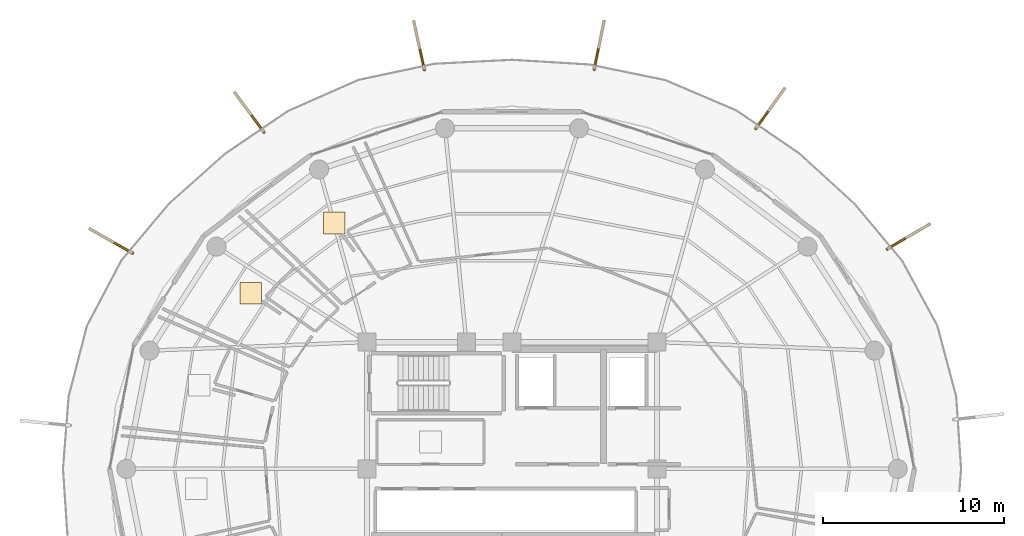
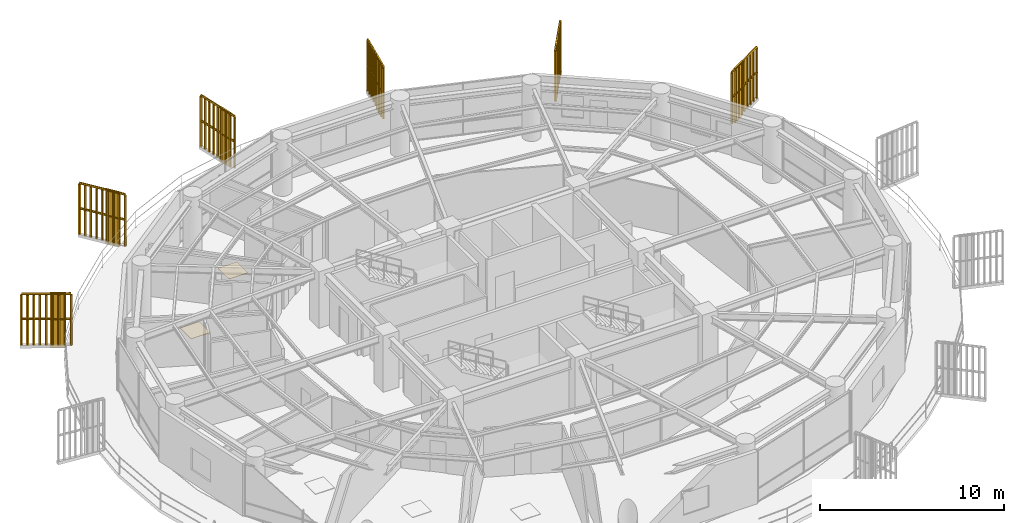
# One storey, part 31 of 31: 6 railings, 6 shading devices, 2 coverings.
"""IFC4 building model written with IfcOpenShell, lengths in metres."""

from ifc_helpers import new_model, si_unit, direction, frame, origin, origin_2d, place, context, subcontext, project, spatial, polyline, rectangle, outline, extrude, source, transform, mapped, material, layer, layer_set, type_object, element, save


model = new_model("IFC4")

# Units and contexts
model_context = context("Model", 3, precision=1e-05, world=origin(), true_north=direction((0.0, 1.0)))
body_context = subcontext(model_context, "Body", "Model", "MODEL_VIEW")
ifc_project = project(units=[si_unit("LENGTHUNIT", "METRE"), si_unit("AREAUNIT", "SQUARE_METRE"), si_unit("VOLUMEUNIT", "CUBIC_METRE"), si_unit("PLANEANGLEUNIT", "RADIAN"), si_unit("MASSUNIT", "GRAM", prefix="KILO")], contexts=[model_context])

# Site, building, storey
site_placement = place(None, origin())
site = spatial("IfcSite", under=ifc_project, at=site_placement, CompositionType="ELEMENT")
building_placement = place(site_placement, origin())
building = spatial("IfcBuilding", under=site, at=building_placement, Name="Kelanora Arch Commons", CompositionType="ELEMENT")
storey_placement = place(building_placement, frame((0.0, 0.0, 219.449951171875)))
storey = spatial("IfcBuildingStorey", under=building, at=storey_placement, Name="L56", CompositionType="ELEMENT", Elevation=219.449951171875)

# Railings
ifc_material_1 = material(Name="Anodised bronze vertical shading fin rib assembly")
railing_type = type_object("IfcRailingType", Name="RAIL-FIN-BRZ", PredefinedType="BALUSTRADE", material=ifc_material_1)
railing_1_placement = place(storey_placement, frame((94.694091796875, 70.131591796875, -0.02001953125)))
element("IfcRailing", 1, at=railing_1_placement, inside=storey, type_object=railing_type, Name="Sweeping Bronze Vertical Fin Blade L56-03", PredefinedType="BALUSTRADE", context=body_context, shape_type="SweptSolid", body=[
    extrude(outline(polyline([(0.06982421875, 0.0), (0.034912109375, 0.060546875), (-0.034912109375, 0.060546875), (-0.06982421875, 0.0), (-0.034912109375, -0.060546875), (0.034912109375, -0.060546875), (0.06982421875, 0.0)])), frame((0.0, 0.0, 3.419921875), z_axis=(0.862718299833, 0.505684817978, 0.0), x_axis=(-0.505684817978, 0.862718299833, 0.0)), (0.0, 0.0, 1.0), 2.7099609375),
    extrude(outline(polyline([(0.06982421875, 0.0), (0.034912109375, 0.060546875), (-0.034912109375, 0.060546875), (-0.06982421875, 0.0), (-0.034912109375, -0.060546875), (0.034912109375, -0.060546875), (0.06982421875, 0.0)])), frame((0.0, 0.0, 1.7451171875), z_axis=(0.862718299833, 0.505684817978, 0.0), x_axis=(-0.505684817978, 0.862718299833, 0.0)), (0.0, 0.0, 1.0), 2.7099609375),
    extrude(outline(polyline([(0.080078125, 0.0), (0.0400390625, 0.0693359375), (-0.0400390625, 0.0693359375), (-0.080078125, 0.0), (-0.0400390625, -0.0693359375), (0.0400390625, -0.0693359375), (0.080078125, 0.0)])), origin(), (0.0, 0.0, 1.0), 3.35009765625),
    extrude(outline(polyline([(0.080078125, 0.0), (0.0400390625, 0.0693359375), (-0.0400390625, 0.0693359375), (-0.080078125, 0.0), (-0.0400390625, -0.0693359375), (0.0400390625, -0.0693359375), (0.080078125, 0.0)])), frame((0.292236328125, 0.17138671875, 0.0)), (0.0, 0.0, 1.0), 3.35009765625),
    extrude(outline(polyline([(0.080078125, 0.0), (0.0400390625, 0.0693359375), (-0.0400390625, 0.0693359375), (-0.080078125, 0.0), (-0.0400390625, -0.0693359375), (0.0400390625, -0.0693359375), (0.080078125, 0.0)])), frame((0.58447265625, 0.342529296875, 0.0)), (0.0, 0.0, 1.0), 3.35009765625),
    extrude(outline(polyline([(0.080078125, 0.0), (0.0400390625, 0.0693359375), (-0.0400390625, 0.0693359375), (-0.080078125, 0.0), (-0.0400390625, -0.0693359375), (0.0400390625, -0.0693359375), (0.080078125, 0.0)])), frame((0.876708984375, 0.513916015625, 0.0)), (0.0, 0.0, 1.0), 3.35009765625),
    extrude(outline(polyline([(0.080078125, 0.0), (0.0400390625, 0.0693359375), (-0.0400390625, 0.0693359375), (-0.080078125, 0.0), (-0.0400390625, -0.0693359375), (0.0400390625, -0.0693359375), (0.080078125, 0.0)])), frame((1.1689453125, 0.68505859375, 0.0)), (0.0, 0.0, 1.0), 3.35009765625),
    extrude(outline(polyline([(0.080078125, 0.0), (0.0400390625, 0.0693359375), (-0.0400390625, 0.0693359375), (-0.080078125, 0.0), (-0.0400390625, -0.0693359375), (0.0400390625, -0.0693359375), (0.080078125, 0.0)])), frame((1.461181640625, 0.8564453125, 0.0)), (0.0, 0.0, 1.0), 3.35009765625),
    extrude(outline(polyline([(0.080078125, 0.0), (0.0400390625, 0.0693359375), (-0.0400390625, 0.0693359375), (-0.080078125, 0.0), (-0.0400390625, -0.0693359375), (0.0400390625, -0.0693359375), (0.080078125, 0.0)])), frame((1.75341796875, 1.02783203125, 0.0)), (0.0, 0.0, 1.0), 3.35009765625),
    extrude(outline(polyline([(0.080078125, 0.0), (0.0400390625, 0.0693359375), (-0.0400390625, 0.0693359375), (-0.080078125, 0.0), (-0.0400390625, -0.0693359375), (0.0400390625, -0.0693359375), (0.080078125, 0.0)])), frame((2.045654296875, 1.198974609375, 0.0)), (0.0, 0.0, 1.0), 3.35009765625),
    extrude(outline(polyline([(0.080078125, 0.0), (0.0400390625, 0.0693359375), (-0.0400390625, 0.0693359375), (-0.080078125, 0.0), (-0.0400390625, -0.0693359375), (0.0400390625, -0.0693359375), (0.080078125, 0.0)])), frame((2.337890625, 1.370361328125, 0.0)), (0.0, 0.0, 1.0), 3.35009765625),
])
railing_2_placement = place(storey_placement, frame((87.451416015625, 76.77490234375, -0.02001953125)))
element("IfcRailing", 2, at=railing_2_placement, inside=storey, type_object=railing_type, Name="Sweeping Bronze Vertical Fin Blade L56-04", PredefinedType="BALUSTRADE", context=body_context, shape_type="SweptSolid", body=[
    extrude(outline(polyline([(0.06982421875, 0.0), (0.034912109375, 0.060546875), (-0.034912109375, 0.060546875), (-0.06982421875, 0.0), (-0.034912109375, -0.060546875), (0.034912109375, -0.060546875), (0.06982421875, 0.0)])), frame((0.0, 0.0, 3.419921875), z_axis=(0.582430650304, 0.812880395622, 0.0), x_axis=(-0.812880395622, 0.582430650304, 0.0)), (0.0, 0.0, 1.0), 2.7099609375),
    extrude(outline(polyline([(0.06982421875, 0.0), (0.034912109375, 0.060546875), (-0.034912109375, 0.060546875), (-0.06982421875, 0.0), (-0.034912109375, -0.060546875), (0.034912109375, -0.060546875), (0.06982421875, 0.0)])), frame((0.0, 0.0, 1.7451171875), z_axis=(0.582430650304, 0.812880395622, 0.0), x_axis=(-0.812880395622, 0.582430650304, 0.0)), (0.0, 0.0, 1.0), 2.7099609375),
    extrude(outline(polyline([(0.080078125, 0.0), (0.0400390625, 0.0693359375), (-0.0400390625, 0.0693359375), (-0.080078125, 0.0), (-0.0400390625, -0.0693359375), (0.0400390625, -0.0693359375), (0.080078125, 0.0)])), origin(), (0.0, 0.0, 1.0), 3.35009765625),
    extrude(outline(polyline([(0.080078125, 0.0), (0.0400390625, 0.0693359375), (-0.0400390625, 0.0693359375), (-0.080078125, 0.0), (-0.0400390625, -0.0693359375), (0.0400390625, -0.0693359375), (0.080078125, 0.0)])), frame((0.197265625, 0.275390625, 0.0)), (0.0, 0.0, 1.0), 3.35009765625),
    extrude(outline(polyline([(0.080078125, 0.0), (0.0400390625, 0.0693359375), (-0.0400390625, 0.0693359375), (-0.080078125, 0.0), (-0.0400390625, -0.0693359375), (0.0400390625, -0.0693359375), (0.080078125, 0.0)])), frame((0.39453125, 0.55078125, 0.0)), (0.0, 0.0, 1.0), 3.35009765625),
    extrude(outline(polyline([(0.080078125, 0.0), (0.0400390625, 0.0693359375), (-0.0400390625, 0.0693359375), (-0.080078125, 0.0), (-0.0400390625, -0.0693359375), (0.0400390625, -0.0693359375), (0.080078125, 0.0)])), frame((0.591796875, 0.826171875, 0.0)), (0.0, 0.0, 1.0), 3.35009765625),
    extrude(outline(polyline([(0.080078125, 0.0), (0.0400390625, 0.0693359375), (-0.0400390625, 0.0693359375), (-0.080078125, 0.0), (-0.0400390625, -0.0693359375), (0.0400390625, -0.0693359375), (0.080078125, 0.0)])), frame((0.7890625, 1.1015625, 0.0)), (0.0, 0.0, 1.0), 3.35009765625),
    extrude(outline(polyline([(0.080078125, 0.0), (0.0400390625, 0.0693359375), (-0.0400390625, 0.0693359375), (-0.080078125, 0.0), (-0.0400390625, -0.0693359375), (0.0400390625, -0.0693359375), (0.080078125, 0.0)])), frame((0.986572265625, 1.376708984375, 0.0)), (0.0, 0.0, 1.0), 3.35009765625),
    extrude(outline(polyline([(0.080078125, 0.0), (0.0400390625, 0.0693359375), (-0.0400390625, 0.0693359375), (-0.080078125, 0.0), (-0.0400390625, -0.0693359375), (0.0400390625, -0.0693359375), (0.080078125, 0.0)])), frame((1.183837890625, 1.652099609375, 0.0)), (0.0, 0.0, 1.0), 3.35009765625),
    extrude(outline(polyline([(0.080078125, 0.0), (0.0400390625, 0.0693359375), (-0.0400390625, 0.0693359375), (-0.080078125, 0.0), (-0.0400390625, -0.0693359375), (0.0400390625, -0.0693359375), (0.080078125, 0.0)])), frame((1.381103515625, 1.927490234375, 0.0)), (0.0, 0.0, 1.0), 3.35009765625),
    extrude(outline(polyline([(0.080078125, 0.0), (0.0400390625, 0.0693359375), (-0.0400390625, 0.0693359375), (-0.080078125, 0.0), (-0.0400390625, -0.0693359375), (0.0400390625, -0.0693359375), (0.080078125, 0.0)])), frame((1.578369140625, 2.202880859375, 0.0)), (0.0, 0.0, 1.0), 3.35009765625),
])
railing_3_placement = place(storey_placement, frame((78.531005859375, 80.034423828125, -0.02001953125)))
element("IfcRailing", 3, at=railing_3_placement, inside=storey, type_object=railing_type, Name="Sweeping Bronze Vertical Fin Blade L56-05", PredefinedType="BALUSTRADE", context=body_context, shape_type="SweptSolid", body=[
    extrude(outline(polyline([(0.06982421875, 0.0), (0.034912109375, 0.060546875), (-0.034912109375, 0.060546875), (-0.06982421875, 0.0), (-0.034912109375, -0.060546875), (0.034912109375, -0.060546875), (0.06982421875, 0.0)])), frame((0.0, 0.0, 3.419921875), z_axis=(0.201449551253, 0.979498891424, 0.0), x_axis=(-0.979498891424, 0.201449551253, 0.0)), (0.0, 0.0, 1.0), 2.7099609375),
    extrude(outline(polyline([(0.06982421875, 0.0), (0.034912109375, 0.060546875), (-0.034912109375, 0.060546875), (-0.06982421875, 0.0), (-0.034912109375, -0.060546875), (0.034912109375, -0.060546875), (0.06982421875, 0.0)])), frame((0.0, 0.0, 1.7451171875), z_axis=(0.201449551253, 0.979498891424, 0.0), x_axis=(-0.979498891424, 0.201449551253, 0.0)), (0.0, 0.0, 1.0), 2.7099609375),
    extrude(outline(polyline([(0.080078125, 0.0), (0.0400390625, 0.0693359375), (-0.0400390625, 0.0693359375), (-0.080078125, 0.0), (-0.0400390625, -0.0693359375), (0.0400390625, -0.0693359375), (0.080078125, 0.0)])), origin(), (0.0, 0.0, 1.0), 3.35009765625),
    extrude(outline(polyline([(0.080078125, 0.0), (0.0400390625, 0.0693359375), (-0.0400390625, 0.0693359375), (-0.080078125, 0.0), (-0.0400390625, -0.0693359375), (0.0400390625, -0.0693359375), (0.080078125, 0.0)])), frame((0.068359375, 0.331787109375, 0.0)), (0.0, 0.0, 1.0), 3.35009765625),
    extrude(outline(polyline([(0.080078125, 0.0), (0.0400390625, 0.0693359375), (-0.0400390625, 0.0693359375), (-0.080078125, 0.0), (-0.0400390625, -0.0693359375), (0.0400390625, -0.0693359375), (0.080078125, 0.0)])), frame((0.136474609375, 0.66357421875, 0.0)), (0.0, 0.0, 1.0), 3.35009765625),
    extrude(outline(polyline([(0.080078125, 0.0), (0.0400390625, 0.0693359375), (-0.0400390625, 0.0693359375), (-0.080078125, 0.0), (-0.0400390625, -0.0693359375), (0.0400390625, -0.0693359375), (0.080078125, 0.0)])), frame((0.20458984375, 0.995361328125, 0.0)), (0.0, 0.0, 1.0), 3.35009765625),
    extrude(outline(polyline([(0.080078125, 0.0), (0.0400390625, 0.0693359375), (-0.0400390625, 0.0693359375), (-0.080078125, 0.0), (-0.0400390625, -0.0693359375), (0.0400390625, -0.0693359375), (0.080078125, 0.0)])), frame((0.27294921875, 1.3271484375, 0.0)), (0.0, 0.0, 1.0), 3.35009765625),
    extrude(outline(polyline([(0.080078125, 0.0), (0.0400390625, 0.0693359375), (-0.0400390625, 0.0693359375), (-0.080078125, 0.0), (-0.0400390625, -0.0693359375), (0.0400390625, -0.0693359375), (0.080078125, 0.0)])), frame((0.34130859375, 1.658935546875, 0.0)), (0.0, 0.0, 1.0), 3.35009765625),
    extrude(outline(polyline([(0.080078125, 0.0), (0.0400390625, 0.0693359375), (-0.0400390625, 0.0693359375), (-0.080078125, 0.0), (-0.0400390625, -0.0693359375), (0.0400390625, -0.0693359375), (0.080078125, 0.0)])), frame((0.409423828125, 1.99072265625, 0.0)), (0.0, 0.0, 1.0), 3.35009765625),
    extrude(outline(polyline([(0.080078125, 0.0), (0.0400390625, 0.0693359375), (-0.0400390625, 0.0693359375), (-0.080078125, 0.0), (-0.0400390625, -0.0693359375), (0.0400390625, -0.0693359375), (0.080078125, 0.0)])), frame((0.4775390625, 2.322509765625, 0.0)), (0.0, 0.0, 1.0), 3.35009765625),
    extrude(outline(polyline([(0.080078125, 0.0), (0.0400390625, 0.0693359375), (-0.0400390625, 0.0693359375), (-0.080078125, 0.0), (-0.0400390625, -0.0693359375), (0.0400390625, -0.0693359375), (0.080078125, 0.0)])), frame((0.5458984375, 2.654296875, 0.0)), (0.0, 0.0, 1.0), 3.35009765625),
])
railing_4_placement = place(storey_placement, frame((69.168701171875, 80.010498046875, -0.02001953125)))
element("IfcRailing", 4, at=railing_4_placement, inside=storey, type_object=railing_type, Name="Sweeping Bronze Vertical Fin Blade L56-06", PredefinedType="BALUSTRADE", context=body_context, shape_type="SweptSolid", body=[
    extrude(outline(polyline([(0.06982421875, 0.0), (0.034912109375, 0.060546875), (-0.034912109375, 0.060546875), (-0.06982421875, 0.0), (-0.034912109375, -0.060546875), (0.034912109375, -0.060546875), (0.06982421875, 0.0)])), frame((0.0, 0.0, 3.419921875), z_axis=(-0.214411487398, 0.976743422845, 0.0), x_axis=(-0.976743422845, -0.214411487398, 0.0)), (0.0, 0.0, 1.0), 2.7099609375),
    extrude(outline(polyline([(0.06982421875, 0.0), (0.034912109375, 0.060546875), (-0.034912109375, 0.060546875), (-0.06982421875, 0.0), (-0.034912109375, -0.060546875), (0.034912109375, -0.060546875), (0.06982421875, 0.0)])), frame((0.0, 0.0, 1.7451171875), z_axis=(-0.214411487398, 0.976743422845, 0.0), x_axis=(-0.976743422845, -0.214411487398, 0.0)), (0.0, 0.0, 1.0), 2.7099609375),
    extrude(outline(polyline([(0.080078125, 0.0), (0.0400390625, 0.0693359375), (-0.0400390625, 0.0693359375), (-0.080078125, 0.0), (-0.0400390625, -0.0693359375), (0.0400390625, -0.0693359375), (0.080078125, 0.0)])), origin(), (0.0, 0.0, 1.0), 3.35009765625),
    extrude(outline(polyline([(0.080078125, 0.0), (0.0400390625, 0.0693359375), (-0.0400390625, 0.0693359375), (-0.080078125, 0.0), (-0.0400390625, -0.0693359375), (0.0400390625, -0.0693359375), (0.080078125, 0.0)])), frame((-0.07275390625, 0.330810546875, 0.0)), (0.0, 0.0, 1.0), 3.35009765625),
    extrude(outline(polyline([(0.080078125, 0.0), (0.0400390625, 0.0693359375), (-0.0400390625, 0.0693359375), (-0.080078125, 0.0), (-0.0400390625, -0.0693359375), (0.0400390625, -0.0693359375), (0.080078125, 0.0)])), frame((-0.145263671875, 0.66162109375, 0.0)), (0.0, 0.0, 1.0), 3.35009765625),
    extrude(outline(polyline([(0.080078125, 0.0), (0.0400390625, 0.0693359375), (-0.0400390625, 0.0693359375), (-0.080078125, 0.0), (-0.0400390625, -0.0693359375), (0.0400390625, -0.0693359375), (0.080078125, 0.0)])), frame((-0.2177734375, 0.99267578125, 0.0)), (0.0, 0.0, 1.0), 3.35009765625),
    extrude(outline(polyline([(0.080078125, 0.0), (0.0400390625, 0.0693359375), (-0.0400390625, 0.0693359375), (-0.080078125, 0.0), (-0.0400390625, -0.0693359375), (0.0400390625, -0.0693359375), (0.080078125, 0.0)])), frame((-0.29052734375, 1.323486328125, 0.0)), (0.0, 0.0, 1.0), 3.35009765625),
    extrude(outline(polyline([(0.080078125, 0.0), (0.0400390625, 0.0693359375), (-0.0400390625, 0.0693359375), (-0.080078125, 0.0), (-0.0400390625, -0.0693359375), (0.0400390625, -0.0693359375), (0.080078125, 0.0)])), frame((-0.36328125, 1.654296875, 0.0)), (0.0, 0.0, 1.0), 3.35009765625),
    extrude(outline(polyline([(0.080078125, 0.0), (0.0400390625, 0.0693359375), (-0.0400390625, 0.0693359375), (-0.080078125, 0.0), (-0.0400390625, -0.0693359375), (0.0400390625, -0.0693359375), (0.080078125, 0.0)])), frame((-0.435791015625, 1.9853515625, 0.0)), (0.0, 0.0, 1.0), 3.35009765625),
    extrude(outline(polyline([(0.080078125, 0.0), (0.0400390625, 0.0693359375), (-0.0400390625, 0.0693359375), (-0.080078125, 0.0), (-0.0400390625, -0.0693359375), (0.0400390625, -0.0693359375), (0.080078125, 0.0)])), frame((-0.50830078125, 2.316162109375, 0.0)), (0.0, 0.0, 1.0), 3.35009765625),
    extrude(outline(polyline([(0.080078125, 0.0), (0.0400390625, 0.0693359375), (-0.0400390625, 0.0693359375), (-0.080078125, 0.0), (-0.0400390625, -0.0693359375), (0.0400390625, -0.0693359375), (0.080078125, 0.0)])), frame((-0.5810546875, 2.64697265625, 0.0)), (0.0, 0.0, 1.0), 3.35009765625),
])
railing_5_placement = place(storey_placement, frame((60.314453125, 76.576416015625, -0.02001953125)))
element("IfcRailing", 5, at=railing_5_placement, inside=storey, type_object=railing_type, Name="Sweeping Bronze Vertical Fin Blade L56-07", PredefinedType="BALUSTRADE", context=body_context, shape_type="SweptSolid", body=[
    extrude(outline(polyline([(0.06982421875, 0.0), (0.034912109375, 0.060546875), (-0.034912109375, 0.060546875), (-0.06982421875, 0.0), (-0.034912109375, -0.060546875), (0.034912109375, -0.060546875), (0.06982421875, 0.0)])), frame((0.0, 0.0, 3.419921875), z_axis=(-0.593174452162, 0.805073952691, 0.0), x_axis=(-0.805073952691, -0.593174452162, 0.0)), (0.0, 0.0, 1.0), 2.7099609375),
    extrude(outline(polyline([(0.06982421875, 0.0), (0.034912109375, 0.060546875), (-0.034912109375, 0.060546875), (-0.06982421875, 0.0), (-0.034912109375, -0.060546875), (0.034912109375, -0.060546875), (0.06982421875, 0.0)])), frame((0.0, 0.0, 1.7451171875), z_axis=(-0.593174452162, 0.805073952691, 0.0), x_axis=(-0.805073952691, -0.593174452162, 0.0)), (0.0, 0.0, 1.0), 2.7099609375),
    extrude(outline(polyline([(0.080078125, 0.0), (0.0400390625, 0.0693359375), (-0.0400390625, 0.0693359375), (-0.080078125, 0.0), (-0.0400390625, -0.0693359375), (0.0400390625, -0.0693359375), (0.080078125, 0.0)])), origin(), (0.0, 0.0, 1.0), 3.35009765625),
    extrude(outline(polyline([(0.080078125, 0.0), (0.0400390625, 0.0693359375), (-0.0400390625, 0.0693359375), (-0.080078125, 0.0), (-0.0400390625, -0.0693359375), (0.0400390625, -0.0693359375), (0.080078125, 0.0)])), frame((-0.200927734375, 0.272705078125, 0.0)), (0.0, 0.0, 1.0), 3.35009765625),
    extrude(outline(polyline([(0.080078125, 0.0), (0.0400390625, 0.0693359375), (-0.0400390625, 0.0693359375), (-0.080078125, 0.0), (-0.0400390625, -0.0693359375), (0.0400390625, -0.0693359375), (0.080078125, 0.0)])), frame((-0.40185546875, 0.54541015625, 0.0)), (0.0, 0.0, 1.0), 3.35009765625),
    extrude(outline(polyline([(0.080078125, 0.0), (0.0400390625, 0.0693359375), (-0.0400390625, 0.0693359375), (-0.080078125, 0.0), (-0.0400390625, -0.0693359375), (0.0400390625, -0.0693359375), (0.080078125, 0.0)])), frame((-0.602783203125, 0.818115234375, 0.0)), (0.0, 0.0, 1.0), 3.35009765625),
    extrude(outline(polyline([(0.080078125, 0.0), (0.0400390625, 0.0693359375), (-0.0400390625, 0.0693359375), (-0.080078125, 0.0), (-0.0400390625, -0.0693359375), (0.0400390625, -0.0693359375), (0.080078125, 0.0)])), frame((-0.8037109375, 1.0908203125, 0.0)), (0.0, 0.0, 1.0), 3.35009765625),
    extrude(outline(polyline([(0.080078125, 0.0), (0.0400390625, 0.0693359375), (-0.0400390625, 0.0693359375), (-0.080078125, 0.0), (-0.0400390625, -0.0693359375), (0.0400390625, -0.0693359375), (0.080078125, 0.0)])), frame((-1.004638671875, 1.363525390625, 0.0)), (0.0, 0.0, 1.0), 3.35009765625),
    extrude(outline(polyline([(0.080078125, 0.0), (0.0400390625, 0.0693359375), (-0.0400390625, 0.0693359375), (-0.080078125, 0.0), (-0.0400390625, -0.0693359375), (0.0400390625, -0.0693359375), (0.080078125, 0.0)])), frame((-1.20556640625, 1.63623046875, 0.0)), (0.0, 0.0, 1.0), 3.35009765625),
    extrude(outline(polyline([(0.080078125, 0.0), (0.0400390625, 0.0693359375), (-0.0400390625, 0.0693359375), (-0.080078125, 0.0), (-0.0400390625, -0.0693359375), (0.0400390625, -0.0693359375), (0.080078125, 0.0)])), frame((-1.406494140625, 1.908935546875, 0.0)), (0.0, 0.0, 1.0), 3.35009765625),
    extrude(outline(polyline([(0.080078125, 0.0), (0.0400390625, 0.0693359375), (-0.0400390625, 0.0693359375), (-0.080078125, 0.0), (-0.0400390625, -0.0693359375), (0.0400390625, -0.0693359375), (0.080078125, 0.0)])), frame((-1.607421875, 2.181640625, 0.0)), (0.0, 0.0, 1.0), 3.35009765625),
])
railing_6_placement = place(storey_placement, frame((53.06787109375, 69.90087890625, -0.02001953125)))
element("IfcRailing", 6, at=railing_6_placement, inside=storey, type_object=railing_type, Name="Sweeping Bronze Vertical Fin Blade L56-08", PredefinedType="BALUSTRADE", context=body_context, shape_type="SweptSolid", body=[
    extrude(outline(polyline([(0.06982421875, 0.0), (0.034912109375, 0.060546875), (-0.034912109375, 0.060546875), (-0.06982421875, 0.0), (-0.034912109375, -0.060546875), (0.034912109375, -0.060546875), (0.06982421875, 0.0)])), frame((0.0, 0.0, 3.419921875), z_axis=(-0.869338691519, 0.494216793956, 0.0), x_axis=(-0.494216793956, -0.869338691519, 0.0)), (0.0, 0.0, 1.0), 2.7099609375),
    extrude(outline(polyline([(0.06982421875, 0.0), (0.034912109375, 0.060546875), (-0.034912109375, 0.060546875), (-0.06982421875, 0.0), (-0.034912109375, -0.060546875), (0.034912109375, -0.060546875), (0.06982421875, 0.0)])), frame((0.0, 0.0, 1.7451171875), z_axis=(-0.869338691519, 0.494216793956, 0.0), x_axis=(-0.494216793956, -0.869338691519, 0.0)), (0.0, 0.0, 1.0), 2.7099609375),
    extrude(outline(polyline([(0.080078125, 0.0), (0.0400390625, 0.0693359375), (-0.0400390625, 0.0693359375), (-0.080078125, 0.0), (-0.0400390625, -0.0693359375), (0.0400390625, -0.0693359375), (0.080078125, 0.0)])), origin(), (0.0, 0.0, 1.0), 3.35009765625),
    extrude(outline(polyline([(0.080078125, 0.0), (0.0400390625, 0.0693359375), (-0.0400390625, 0.0693359375), (-0.080078125, 0.0), (-0.0400390625, -0.0693359375), (0.0400390625, -0.0693359375), (0.080078125, 0.0)])), frame((-0.29443359375, 0.16748046875, 0.0)), (0.0, 0.0, 1.0), 3.35009765625),
    extrude(outline(polyline([(0.080078125, 0.0), (0.0400390625, 0.0693359375), (-0.0400390625, 0.0693359375), (-0.080078125, 0.0), (-0.0400390625, -0.0693359375), (0.0400390625, -0.0693359375), (0.080078125, 0.0)])), frame((-0.5888671875, 0.3349609375, 0.0)), (0.0, 0.0, 1.0), 3.35009765625),
    extrude(outline(polyline([(0.080078125, 0.0), (0.0400390625, 0.0693359375), (-0.0400390625, 0.0693359375), (-0.080078125, 0.0), (-0.0400390625, -0.0693359375), (0.0400390625, -0.0693359375), (0.080078125, 0.0)])), frame((-0.883544921875, 0.502197265625, 0.0)), (0.0, 0.0, 1.0), 3.35009765625),
    extrude(outline(polyline([(0.080078125, 0.0), (0.0400390625, 0.0693359375), (-0.0400390625, 0.0693359375), (-0.080078125, 0.0), (-0.0400390625, -0.0693359375), (0.0400390625, -0.0693359375), (0.080078125, 0.0)])), frame((-1.177978515625, 0.669677734375, 0.0)), (0.0, 0.0, 1.0), 3.35009765625),
    extrude(outline(polyline([(0.080078125, 0.0), (0.0400390625, 0.0693359375), (-0.0400390625, 0.0693359375), (-0.080078125, 0.0), (-0.0400390625, -0.0693359375), (0.0400390625, -0.0693359375), (0.080078125, 0.0)])), frame((-1.472412109375, 0.837158203125, 0.0)), (0.0, 0.0, 1.0), 3.35009765625),
    extrude(outline(polyline([(0.080078125, 0.0), (0.0400390625, 0.0693359375), (-0.0400390625, 0.0693359375), (-0.080078125, 0.0), (-0.0400390625, -0.0693359375), (0.0400390625, -0.0693359375), (0.080078125, 0.0)])), frame((-1.76708984375, 1.00439453125, 0.0)), (0.0, 0.0, 1.0), 3.35009765625),
    extrude(outline(polyline([(0.080078125, 0.0), (0.0400390625, 0.0693359375), (-0.0400390625, 0.0693359375), (-0.080078125, 0.0), (-0.0400390625, -0.0693359375), (0.0400390625, -0.0693359375), (0.080078125, 0.0)])), frame((-2.0615234375, 1.171875, 0.0)), (0.0, 0.0, 1.0), 3.35009765625),
    extrude(outline(polyline([(0.080078125, 0.0), (0.0400390625, 0.0693359375), (-0.0400390625, 0.0693359375), (-0.080078125, 0.0), (-0.0400390625, -0.0693359375), (0.0400390625, -0.0693359375), (0.080078125, 0.0)])), frame((-2.35595703125, 1.33935546875, 0.0)), (0.0, 0.0, 1.0), 3.35009765625),
])

# Shading devices
ifc_material_2 = material(Name="Terracotta ceramic-clad extruded aluminium fin", Category="masonry")
shading_device_type = type_object("IfcShadingDeviceType", Name="SHD-FIN-FLARE", PredefinedType="USERDEFINED", material=ifc_material_2)
shared_shape_1 = source(origin(), body_context, "Body", "SweptSolid", [
    extrude(rectangle(XDim=0.8798828125, YDim=0.090087890625, at=origin_2d()), origin(), (0.0, 0.0, 1.0), 3.610107421875),
])
for number, where, z_axis, x_axis, name in (
    (7, (95.315185546875, 70.49560546875, -0.14013671875), (0.0, 0.0, 1.0), (0.862690255763, 0.505732659231, 0.0), "Sweeping Terracotta Fin L56-03"),
    (8, (87.870849609375, 77.3603515625, -0.14013671875), (0.0, 0.0, 1.0), (0.582406760395, 0.812897512265, 0.0), "Sweeping Terracotta Fin L56-04"),
    (9, (78.676025390625, 80.73974609375, -0.14013671875), (0.0, 0.0, 1.0), (0.201419845156, 0.979505000486, 0.0), "Sweeping Terracotta Fin L56-05"),
    (10, (69.014404296875, 80.7138671875, -0.14013671875), (0.0, 0.0, 1.0), (-0.214394391152, 0.9767471756, 0.0), "Sweeping Terracotta Fin L56-06"),
    (11, (59.88720703125, 77.156005859375, -0.14013671875), (0.0, 0.0, 1.0), (-0.593137889518, 0.805100890583, 0.0), "Sweeping Terracotta Fin L56-07"),
    (12, (52.44189453125, 70.256591796875, -0.14013671875), (0.0, 0.0, 1.0), (-0.869322458298, 0.494245347472, 0.0), "Sweeping Terracotta Fin L56-08"),
):
    element("IfcShadingDevice", number, at=place(storey_placement, frame(where, z_axis=z_axis, x_axis=x_axis)), inside=storey, type_object=shading_device_type, Name=name, ObjectType="FIN", PredefinedType="USERDEFINED", context=body_context, shape_type="MappedRepresentation", body=[
        mapped(shared_shape_1, transform((0.0, 0.0, 0.0), scale=1.0)),
    ])

# Coverings
ifc_material_3 = material(Name="Polished local granite terrazzo flooring", Category="masonry")
ifc_layer = layer(ifc_material_3, 0.030029296875)
ifc_layer_set = layer_set([ifc_layer], Name="Polished local granite terrazzo flooring")
covering_type = type_object("IfcCoveringType", Name="COV-FLR-TER", PredefinedType="FLOORING", material=ifc_layer_set)
shared_shape_2 = source(origin(), body_context, "Body", "SweptSolid", [
    extrude(rectangle(XDim=1.199951171875, YDim=1.199951171875, at=origin_2d()), origin(), (0.0, 0.0, 1.0), 0.030029296875),
])
for number, where, z_axis, x_axis, name in (
    (13, (64.198486328125, 71.568359375, 0.0), (0.0, 0.0, 1.0), (1.0, 0.0, 0.0), "Cluster Bedroom L56-01 Terrazzo Finish"),
    (14, (59.580810546875, 67.686767578125, 0.0), (0.0, 0.0, 1.0), (1.0, 0.0, 0.0), "Cluster Bedroom L56-02 Terrazzo Finish"),
):
    element("IfcCovering", number, at=place(storey_placement, frame(where, z_axis=z_axis, x_axis=x_axis)), inside=storey, type_object=covering_type, Name=name, PredefinedType="FLOORING", context=body_context, shape_type="MappedRepresentation", body=[
        mapped(shared_shape_2, transform((0.0, 0.0, 0.0), scale=1.0)),
    ])

save(model, "model.ifc")
